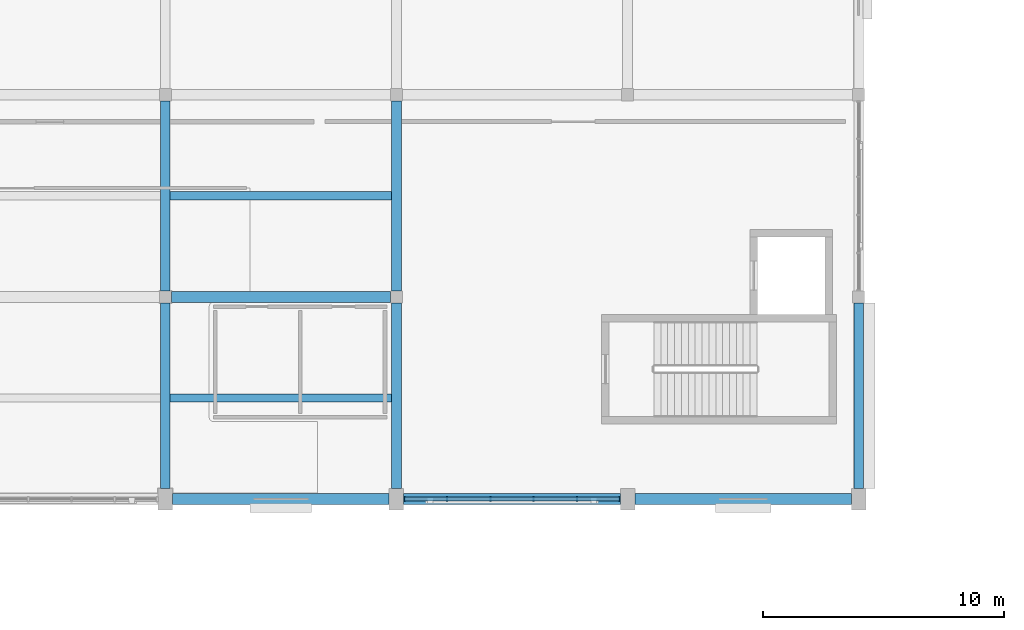
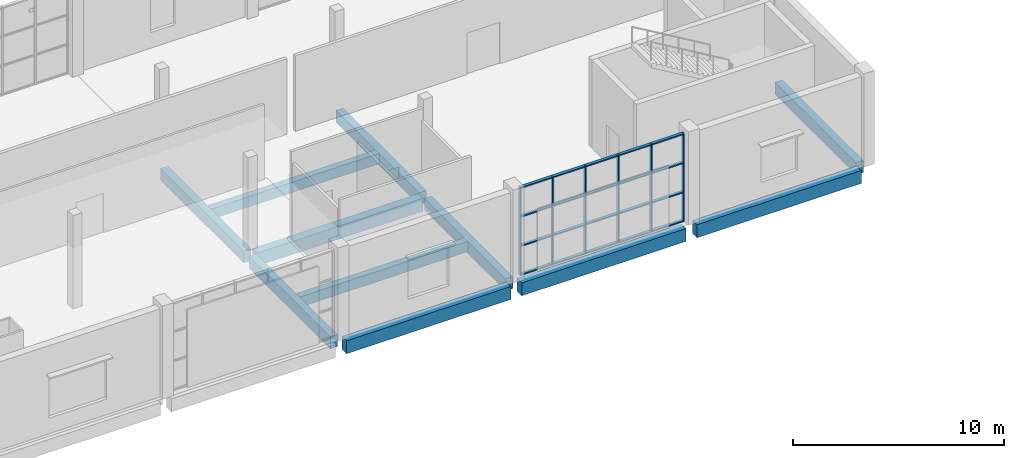
# One storey, part 24 of 72: 11 beams, 10 members, 1 element without a shape of its own.
"""IFC4 building model written with IfcOpenShell, lengths in metres."""

import ifcopenshell
import ifcopenshell.guid

model = None  # the IFC model being written
_history = None  # IfcOwnerHistory: only IFC2X3 demands one
_inside = {}  # id of a spatial element -> (the spatial element, [elements in it])
_under = {}  # id of a project, library or spatial element -> (it, [spatial elements below it])
_declared = {}  # id of a project -> (the project, [libraries it declares])
_typed = {}  # id of a type object -> (the type object, [elements of that type])
_made_of = {}  # id of a material, layer set ... -> (it, [elements and type objects made of it])


def new_model(schema):
    """Start an empty IFC model of exactly this schema.

    Asked for "IFC4X3", IfcOpenShell would pick the latest addendum, in which some entities
    have other attributes; the version numbers below select the first issue.
    IFC2X3 requires an IfcOwnerHistory on every rooted entity: one is made here for all.
    """
    global model, _history
    if schema == "IFC4X3":
        model = ifcopenshell.file(schema_version=(4, 3, 0, 0))
    else:
        model = ifcopenshell.file(schema=schema)
    _inside.clear()
    _under.clear()
    _declared.clear()
    _typed.clear()
    _made_of.clear()
    _history = None
    if model.schema == "IFC2X3":
        org = make("IfcOrganization", Name="unknown")
        user = make(
            "IfcPersonAndOrganization",
            ThePerson=make("IfcPerson", FamilyName="unknown"),
            TheOrganization=org,
        )
        app = make(
            "IfcApplication",
            ApplicationDeveloper=org,
            Version="unknown",
            ApplicationFullName="unknown",
            ApplicationIdentifier="unknown",
        )
        _history = make(
            "IfcOwnerHistory",
            OwningUser=user,
            OwningApplication=app,
            ChangeAction="ADDED",
            CreationDate=0,
        )
    return model


def make(cls, **values):
    """One entity of the class cls with the attributes given. An attribute that is None is left unset."""
    return model.create_entity(
        cls, **{name: value for name, value in values.items() if value is not None}
    )


def rooted(cls, **values):
    """An entity with a GlobalId (a new one), such as an element, a storey or a relation."""
    return make(cls, GlobalId=ifcopenshell.guid.new(), OwnerHistory=_history, **values)


def si_unit(unit_type, name, prefix=None):
    """IfcSIUnit, for example si_unit("LENGTHUNIT", "METRE", prefix="MILLI")."""
    return make("IfcSIUnit", UnitType=unit_type, Prefix=prefix, Name=name)


def assignment(units):
    """IfcUnitAssignment: the units of a project."""
    return None if units is None else make("IfcUnitAssignment", Units=units)


def point(xyz):
    """IfcCartesianPoint."""
    return None if xyz is None else make("IfcCartesianPoint", Coordinates=xyz)


def direction(xyz):
    """IfcDirection."""
    return None if xyz is None else make("IfcDirection", DirectionRatios=xyz)


def frame(location, z_axis=None, x_axis=None):
    """IfcAxis2Placement3D, a coordinate frame: its origin and axes. An axis left out is left unset."""
    return make(
        "IfcAxis2Placement3D",
        Location=point(location),
        Axis=direction(z_axis),
        RefDirection=direction(x_axis),
    )


def frame_2d(location, x_axis=None):
    """IfcAxis2Placement2D, a coordinate frame in the plane: its origin and x axis."""
    return make(
        "IfcAxis2Placement2D", Location=point(location), RefDirection=direction(x_axis)
    )


def origin():
    """The frame at (0, 0, 0) with its axes left unset."""
    return frame((0.0, 0.0, 0.0))


def origin_2d():
    """The frame at (0, 0) in the plane with its x axis left unset."""
    return frame_2d((0.0, 0.0))


def place(relative_to, where):
    """IfcLocalPlacement: puts the frame where relative to a parent placement (None: the world)."""
    return make(
        "IfcLocalPlacement", PlacementRelTo=relative_to, RelativePlacement=where
    )


def context(
    kind, dimensions, precision=None, world=None, true_north=None, identifier=None
):
    """IfcGeometricRepresentationContext, for example the 3D "Model" context."""
    return make(
        "IfcGeometricRepresentationContext",
        ContextIdentifier=identifier,
        ContextType=kind,
        CoordinateSpaceDimension=dimensions,
        Precision=precision,
        WorldCoordinateSystem=world,
        TrueNorth=true_north,
    )


def subcontext(parent, identifier, kind, view, scale=None):
    """IfcGeometricRepresentationSubContext, for example "Body" below "Model"."""
    return make(
        "IfcGeometricRepresentationSubContext",
        ContextIdentifier=identifier,
        ContextType=kind,
        ParentContext=parent,
        TargetScale=scale,
        TargetView=view,
    )


def project(units=None, contexts=None):
    """IfcProject with its units and contexts."""
    return rooted(
        "IfcProject",
        Name="project",
        RepresentationContexts=contexts,
        UnitsInContext=assignment(units),
    )


def spatial(cls, under=None, at=None, **own):
    """A site, building, storey or space (cls), placed at a placement, below another one or the project."""
    s = rooted(cls, ObjectPlacement=at, **own)
    if under is not None:
        _under.setdefault(under.id(), (under, []))[1].append(s)
    return s


def profile(cls, at=None, kind="AREA", **sizes):
    """A parametric profile (cls). Its sizes go by their IFC names, for example OverallWidth=200.0."""
    return make(cls, ProfileType=kind, Position=at, **sizes)


def rectangle(**sizes):
    """IfcRectangleProfileDef."""
    return profile("IfcRectangleProfileDef", **sizes)


def extrude(swept, where, along, depth):
    """IfcExtrudedAreaSolid: the profile swept, set in the frame where, extruded along a direction by depth."""
    return make(
        "IfcExtrudedAreaSolid",
        SweptArea=swept,
        Position=where,
        ExtrudedDirection=direction(along),
        Depth=depth,
    )


def shape(context_of_items, identifier, shape_type, items):
    """IfcShapeRepresentation: the items that make up one representation, for example the "Body"."""
    return make(
        "IfcShapeRepresentation",
        ContextOfItems=context_of_items,
        RepresentationIdentifier=identifier,
        RepresentationType=shape_type,
        Items=items,
    )


def material(Name=None, Category=None):
    """IfcMaterial."""
    return make("IfcMaterial", Name=Name, Category=Category)


def material_profile(
    of_material, cross_section, Name=None, Category=None, Priority=None
):
    """IfcMaterialProfile: a cross section and its material."""
    return make(
        "IfcMaterialProfile",
        Name=Name,
        Material=of_material,
        Profile=cross_section,
        Priority=Priority,
        Category=Category,
    )


def profile_set(profiles, Name=None, composite=None):
    """IfcMaterialProfileSet."""
    return make(
        "IfcMaterialProfileSet",
        Name=Name,
        MaterialProfiles=profiles,
        CompositeProfile=composite,
    )


def made_of(thing, what):
    """Note that an element or type object is made of a material, layer set ...; save() writes the relation."""
    if what is not None:
        _made_of.setdefault(what.id(), (what, []))[1].append(thing)
    return thing


def type_object(cls, material=None, **own):
    """A type object (cls), such as IfcWallType, which elements share."""
    return made_of(rooted(cls, **own), material)


def element(
    cls,
    number,
    at=None,
    inside=None,
    cuts=None,
    type_object=None,
    material=None,
    context=None,
    identifier="Body",
    shape_type=None,
    held_by="IfcProductDefinitionShape",
    body=None,
    shapes=None,
    **own,
):
    """One element of the class cls, such as IfcWall. Its Tag is "e" and its number.

    at: its placement. inside: the storey or other place that contains it. cuts: it is an
    opening in that element (IfcRelVoidsElement). A single representation is given by context,
    identifier, shape_type and body (its items); several are given by shapes. held_by: the class
    of the entity that holds the representations. save() writes the other relations.
    """
    e = rooted(cls, Tag="e%d" % number, ObjectPlacement=at, **own)
    if body is not None:
        shapes = [shape(context, identifier, shape_type, body)]
    if shapes is not None:
        e.Representation = make(held_by, Representations=shapes)
    if inside is not None:
        _inside.setdefault(inside.id(), (inside, []))[1].append(e)
    if cuts is not None:
        rooted(
            "IfcRelVoidsElement", RelatingBuildingElement=cuts, RelatedOpeningElement=e
        )
    if type_object is not None:
        _typed.setdefault(type_object.id(), (type_object, []))[1].append(e)
    return made_of(e, material)


def aggregate(whole, parts):
    """IfcRelAggregates: a whole, such as a stair, and the parts it consists of."""
    return rooted("IfcRelAggregates", RelatingObject=whole, RelatedObjects=parts)


def save(model, path):
    """Write the relations noted so far, then the file.

    IfcRelAggregates (storeys below a building ...), IfcRelContainedInSpatialStructure (elements
    in a storey), IfcRelDefinesByType, IfcRelAssociatesMaterial and IfcRelDeclares: one each for
    every whole, place, type object, material and project.
    """
    for whole, parts in _under.values():
        aggregate(whole, parts)
    for where, things in _inside.values():
        rooted(
            "IfcRelContainedInSpatialStructure",
            RelatedElements=things,
            RelatingStructure=where,
        )
    for kind, things in _typed.values():
        rooted("IfcRelDefinesByType", RelatedObjects=things, RelatingType=kind)
    for what, things in _made_of.values():
        rooted("IfcRelAssociatesMaterial", RelatedObjects=things, RelatingMaterial=what)
    for by, libraries in _declared.values():
        rooted("IfcRelDeclares", RelatingContext=by, RelatedDefinitions=libraries)
    model.write(path)


model = new_model("IFC4")

# Units and contexts
model_context = context("Model", 3, precision=1e-05, world=origin(), true_north=direction((0.0, 1.0)))
body_context = subcontext(model_context, "Body", "Model", "MODEL_VIEW")
ifc_project = project(units=[si_unit("LENGTHUNIT", "METRE"), si_unit("AREAUNIT", "SQUARE_METRE"), si_unit("VOLUMEUNIT", "CUBIC_METRE"), si_unit("PLANEANGLEUNIT", "RADIAN"), si_unit("MASSUNIT", "GRAM", prefix="KILO")], contexts=[model_context])

# Site, building, storey
site_placement = place(None, origin())
site = spatial("IfcSite", under=ifc_project, at=site_placement, CompositionType="ELEMENT")
building_placement = place(site_placement, origin())
building = spatial("IfcBuilding", under=site, at=building_placement, Name="Shalvenor Court Art Gallery", CompositionType="ELEMENT")
storey_placement = place(building_placement, frame((0.0, 0.0, 11.39990234375)))
storey = spatial("IfcBuildingStorey", under=building, at=storey_placement, Name="L02", CompositionType="ELEMENT", Elevation=11.39990234375)

# Beams
ifc_material_1 = material(Name="Concrete C40/50", Category="concrete")
ifc_material_profile_1 = material_profile(ifc_material_1, rectangle(XDim=0.449951171875, YDim=0.75, at=origin_2d()), Name="RC 450x750")
ifc_profile_set_1 = profile_set([ifc_material_profile_1], Name="Concrete C40/50")
beam_type_1 = type_object("IfcBeamType", Name="B-04", PredefinedType="BEAM", material=ifc_profile_set_1)
for number, where, z_axis, x_axis, name in (
    (1, (96.300048828125, 97.199951171875, -0.69482421875), (1.0, 0.0, 0.0), (0.0, 1.0, 0.0), "L02 Girder BM-L02-B-04-0877"),
    (2, (105.89990234375, 97.199951171875, -0.69482421875), (1.0, 0.0, 0.0), (0.0, 1.0, 0.0), "L02 Girder BM-L02-B-04-0878"),
    (3, (115.5, 97.199951171875, -0.69482421875), (1.0, 0.0, 0.0), (0.0, 1.0, 0.0), "L02 Girder BM-L02-B-04-0879"),
):
    element("IfcBeam", number, at=place(storey_placement, frame(where, z_axis=z_axis, x_axis=x_axis)), inside=storey, type_object=beam_type_1, Name=name, PredefinedType="BEAM", context=body_context, shape_type="SweptSolid", body=[
        extrude(rectangle(XDim=0.449951171875, YDim=0.75, at=origin_2d()), origin(), (0.0, 0.0, 1.0), 9.0),
    ])
beam_1_placement = place(storey_placement, frame((96.25, 105.60009765625, -0.69482421875), z_axis=(1.0, 0.0, 0.0), x_axis=(0.0, 1.0, 0.0)))
element("IfcBeam", 4, at=beam_1_placement, inside=storey, type_object=beam_type_1, Name="L02 Girder BM-L02-B-04-0892", PredefinedType="BEAM", context=body_context, shape_type="SweptSolid", body=[
    extrude(rectangle(XDim=0.449951171875, YDim=0.75, at=origin_2d()), origin(), (0.0, 0.0, 1.0), 9.10009765625),
])
ifc_material_2 = material(Name="Concrete C40/50", Category="concrete")
ifc_material_profile_2 = material_profile(ifc_material_2, rectangle(XDim=0.39990234375, YDim=0.699951171875, at=origin_2d()), Name="RC 400x700")
ifc_profile_set_2 = profile_set([ifc_material_profile_2], Name="Concrete C40/50")
beam_type_2 = type_object("IfcBeamType", Name="B-05", PredefinedType="BEAM", material=ifc_profile_set_2)
beam_2_placement = place(storey_placement, frame((96.0, 97.64990234375, -0.669921875), z_axis=(0.0, 1.0, 0.0), x_axis=(-1.0, 0.0, 0.0)))
element("IfcBeam", 5, at=beam_2_placement, inside=storey, type_object=beam_type_2, Name="L02 Girder BM-L02-B-05-0747", PredefinedType="BEAM", context=body_context, shape_type="SweptSolid", body=[
    extrude(rectangle(XDim=0.39990234375, YDim=0.699951171875, at=origin_2d()), origin(), (0.0, 0.0, 1.0), 7.7001953125),
])
beam_3_placement = place(storey_placement, frame((96.0, 105.85009765625, -0.669921875), z_axis=(0.0, 1.0, 0.0), x_axis=(-1.0, 0.0, 0.0)))
element("IfcBeam", 6, at=beam_3_placement, inside=storey, type_object=beam_type_2, Name="L02 Girder BM-L02-B-05-0748", PredefinedType="BEAM", context=body_context, shape_type="SweptSolid", body=[
    extrude(rectangle(XDim=0.39990234375, YDim=0.699951171875, at=origin_2d()), origin(), (0.0, 0.0, 1.0), 7.89990234375),
])
beam_4_placement = place(storey_placement, frame((105.60009765625, 97.64990234375, -0.669921875), z_axis=(0.0, 1.0, 0.0), x_axis=(-1.0, 0.0, 0.0)))
element("IfcBeam", 7, at=beam_4_placement, inside=storey, type_object=beam_type_2, Name="L02 Girder BM-L02-B-05-0755", PredefinedType="BEAM", context=body_context, shape_type="SweptSolid", body=[
    extrude(rectangle(XDim=0.39990234375, YDim=0.699951171875, at=origin_2d()), origin(), (0.0, 0.0, 1.0), 7.7001953125),
])
beam_5_placement = place(storey_placement, frame((105.60009765625, 105.85009765625, -0.669921875), z_axis=(0.0, 1.0, 0.0), x_axis=(-1.0, 0.0, 0.0)))
element("IfcBeam", 8, at=beam_5_placement, inside=storey, type_object=beam_type_2, Name="L02 Girder BM-L02-B-05-0756", PredefinedType="BEAM", context=body_context, shape_type="SweptSolid", body=[
    extrude(rectangle(XDim=0.39990234375, YDim=0.699951171875, at=origin_2d()), origin(), (0.0, 0.0, 1.0), 7.89990234375),
])
beam_6_placement = place(storey_placement, frame((124.800048828125, 97.64990234375, -0.669921875), z_axis=(0.0, 1.0, 0.0), x_axis=(-1.0, 0.0, 0.0)))
element("IfcBeam", 9, at=beam_6_placement, inside=storey, type_object=beam_type_2, Name="L02 Girder BM-L02-B-05-0767", PredefinedType="BEAM", context=body_context, shape_type="SweptSolid", body=[
    extrude(rectangle(XDim=0.39990234375, YDim=0.699951171875, at=origin_2d()), origin(), (0.0, 0.0, 1.0), 7.7001953125),
])

# Curtain wall, members
ifc_material_3 = material(Name="Anodised aluminium and low-iron glass curtain wall", Category="aluminium")
curtain_wall_type = type_object("IfcCurtainWallType", Name="CW-5x3-90-51-122", PredefinedType="USERDEFINED", material=ifc_material_3)
curtain_wall_placement = place(storey_placement, origin())
curtain_wall = element("IfcCurtainWall", 10, at=curtain_wall_placement, inside=storey, type_object=curtain_wall_type, Name="L02 V2 Curtain Wall CW-L02-076", ObjectType="CURTAIN WALL", PredefinedType="USERDEFINED")
ifc_material_4 = material(Name="Anodised aluminium mullion", Category="aluminium")
ifc_material_profile_3 = material_profile(ifc_material_4, rectangle(XDim=0.06494140625, YDim=0.179931640625, at=origin_2d()), Name="CWM-01")
ifc_profile_set_3 = profile_set([ifc_material_profile_3], Name="Anodised aluminium mullion")
member_type_1 = type_object("IfcMemberType", Name="CWM-01", PredefinedType="MULLION", material=ifc_profile_set_3)
member_1_placement = place(storey_placement, frame((114.867431640625, 97.199951171875, 0.0), z_axis=(0.0, 0.0, 1.0), x_axis=(-1.0, 0.0, 0.0)))
member_1 = element("IfcMember", 11, at=member_1_placement, type_object=member_type_1, Name="CW-5x3-90-51-122 mullion 1", PredefinedType="MULLION", context=body_context, shape_type="SweptSolid", body=[
    extrude(rectangle(XDim=0.06494140625, YDim=0.179931640625, at=origin_2d()), origin(), (0.0, 0.0, 1.0), 5.10009765625),
])
member_2_placement = place(storey_placement, frame((113.10009765625, 97.199951171875, 0.0), z_axis=(0.0, 0.0, 1.0), x_axis=(-1.0, 0.0, 0.0)))
member_2 = element("IfcMember", 12, at=member_2_placement, type_object=member_type_1, Name="CW-5x3-90-51-122 mullion 2", PredefinedType="MULLION", context=body_context, shape_type="SweptSolid", body=[
    extrude(rectangle(XDim=0.06494140625, YDim=0.179931640625, at=origin_2d()), origin(), (0.0, 0.0, 1.0), 5.10009765625),
])
member_3_placement = place(storey_placement, frame((111.300048828125, 97.199951171875, 0.0), z_axis=(0.0, 0.0, 1.0), x_axis=(-1.0, 0.0, 0.0)))
member_3 = element("IfcMember", 13, at=member_3_placement, type_object=member_type_1, Name="CW-5x3-90-51-122 mullion 3", PredefinedType="MULLION", context=body_context, shape_type="SweptSolid", body=[
    extrude(rectangle(XDim=0.06494140625, YDim=0.179931640625, at=origin_2d()), origin(), (0.0, 0.0, 1.0), 5.10009765625),
])
member_4_placement = place(storey_placement, frame((109.5, 97.199951171875, 0.0), z_axis=(0.0, 0.0, 1.0), x_axis=(-1.0, 0.0, 0.0)))
member_4 = element("IfcMember", 14, at=member_4_placement, type_object=member_type_1, Name="CW-5x3-90-51-122 mullion 4", PredefinedType="MULLION", context=body_context, shape_type="SweptSolid", body=[
    extrude(rectangle(XDim=0.06494140625, YDim=0.179931640625, at=origin_2d()), origin(), (0.0, 0.0, 1.0), 5.10009765625),
])
member_5_placement = place(storey_placement, frame((107.699951171875, 97.199951171875, 0.0), z_axis=(0.0, 0.0, 1.0), x_axis=(-1.0, 0.0, 0.0)))
member_5 = element("IfcMember", 15, at=member_5_placement, type_object=member_type_1, Name="CW-5x3-90-51-122 mullion 5", PredefinedType="MULLION", context=body_context, shape_type="SweptSolid", body=[
    extrude(rectangle(XDim=0.06494140625, YDim=0.179931640625, at=origin_2d()), origin(), (0.0, 0.0, 1.0), 5.10009765625),
])
member_6_placement = place(storey_placement, frame((105.9326171875, 97.199951171875, 0.0), z_axis=(0.0, 0.0, 1.0), x_axis=(-1.0, 0.0, 0.0)))
member_6 = element("IfcMember", 16, at=member_6_placement, type_object=member_type_1, Name="CW-5x3-90-51-122 mullion 6", PredefinedType="MULLION", context=body_context, shape_type="SweptSolid", body=[
    extrude(rectangle(XDim=0.06494140625, YDim=0.179931640625, at=origin_2d()), origin(), (0.0, 0.0, 1.0), 5.10009765625),
])
ifc_material_5 = material(Name="Anodised aluminium transom", Category="aluminium")
ifc_material_profile_4 = material_profile(ifc_material_5, rectangle(XDim=0.169921875, YDim=0.06494140625, at=origin_2d()), Name="CWT-02")
ifc_profile_set_4 = profile_set([ifc_material_profile_4], Name="Anodised aluminium transom")
member_type_2 = type_object("IfcMemberType", Name="CWT-02", PredefinedType="USERDEFINED", material=ifc_profile_set_4)
member_7_placement = place(storey_placement, frame((114.867431640625, 97.199951171875, 0.03271484375), z_axis=(-1.0, 0.0, 0.0), x_axis=(0.0, -1.0, 0.0)))
member_7 = element("IfcMember", 17, at=member_7_placement, type_object=member_type_2, Name="CW-5x3-90-51-122 transom 1", ObjectType="TRANSOM", PredefinedType="USERDEFINED", context=body_context, shape_type="SweptSolid", body=[
    extrude(rectangle(XDim=0.169921875, YDim=0.06494140625, at=origin_2d()), origin(), (0.0, 0.0, 1.0), 8.934814453125),
])
member_8_placement = place(storey_placement, frame((114.867431640625, 97.199951171875, 1.7001953125), z_axis=(-1.0, 0.0, 0.0), x_axis=(0.0, -1.0, 0.0)))
member_8 = element("IfcMember", 18, at=member_8_placement, type_object=member_type_2, Name="CW-5x3-90-51-122 transom 2", ObjectType="TRANSOM", PredefinedType="USERDEFINED", context=body_context, shape_type="SweptSolid", body=[
    extrude(rectangle(XDim=0.169921875, YDim=0.06494140625, at=origin_2d()), origin(), (0.0, 0.0, 1.0), 8.934814453125),
])
member_9_placement = place(storey_placement, frame((114.867431640625, 97.199951171875, 3.400146484375), z_axis=(-1.0, 0.0, 0.0), x_axis=(0.0, -1.0, 0.0)))
member_9 = element("IfcMember", 19, at=member_9_placement, type_object=member_type_2, Name="CW-5x3-90-51-122 transom 3", ObjectType="TRANSOM", PredefinedType="USERDEFINED", context=body_context, shape_type="SweptSolid", body=[
    extrude(rectangle(XDim=0.169921875, YDim=0.06494140625, at=origin_2d()), origin(), (0.0, 0.0, 1.0), 8.934814453125),
])
member_10_placement = place(storey_placement, frame((114.867431640625, 97.199951171875, 5.067626953125), z_axis=(-1.0, 0.0, 0.0), x_axis=(0.0, -1.0, 0.0)))
member_10 = element("IfcMember", 20, at=member_10_placement, type_object=member_type_2, Name="CW-5x3-90-51-122 transom 4", ObjectType="TRANSOM", PredefinedType="USERDEFINED", context=body_context, shape_type="SweptSolid", body=[
    extrude(rectangle(XDim=0.169921875, YDim=0.06494140625, at=origin_2d()), origin(), (0.0, 0.0, 1.0), 8.934814453125),
])
aggregate(curtain_wall, [member_1, member_2, member_3, member_4, member_5, member_6, member_7, member_8, member_9, member_10])

# Beams
ifc_material_6 = material(Name="Concrete C40/50", Category="concrete")
ifc_material_profile_5 = material_profile(ifc_material_6, rectangle(XDim=0.35009765625, YDim=0.60009765625, at=origin_2d()), Name="RC 350x600")
ifc_profile_set_5 = profile_set([ifc_material_profile_5], Name="Concrete C40/50")
beam_type_3 = type_object("IfcBeamType", Name="J-01", PredefinedType="JOIST", material=ifc_profile_set_5)
for number, where, z_axis, x_axis, name in (
    (21, (96.199951171875, 101.39990234375, -0.619873046875), (1.0, 0.0, 0.0), (0.0, 1.0, 0.0), "L02 Secondary Beam JST-L02-J-01-0941"),
    (22, (96.199951171875, 109.800048828125, -0.619873046875), (1.0, 0.0, 0.0), (0.0, 1.0, 0.0), "L02 Secondary Beam JST-L02-J-01-0942"),
):
    element("IfcBeam", number, at=place(storey_placement, frame(where, z_axis=z_axis, x_axis=x_axis)), inside=storey, type_object=beam_type_3, Name=name, PredefinedType="JOIST", context=body_context, shape_type="SweptSolid", body=[
        extrude(rectangle(XDim=0.35009765625, YDim=0.60009765625, at=origin_2d()), origin(), (0.0, 0.0, 1.0), 9.199951171875),
    ])

save(model, "model.ifc")
